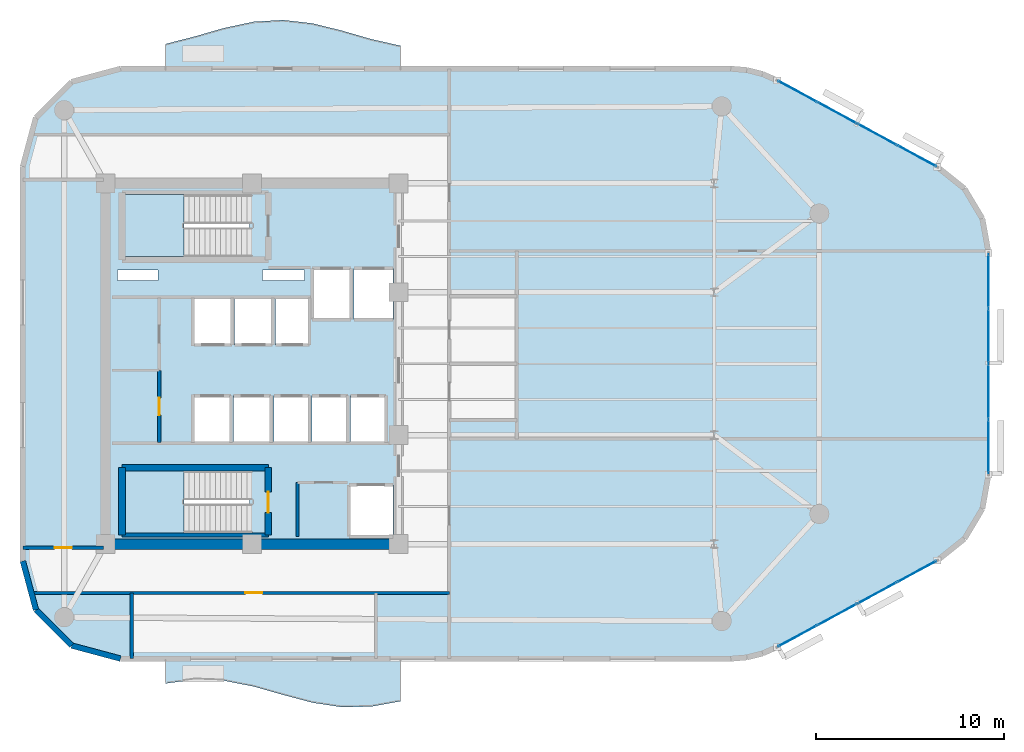
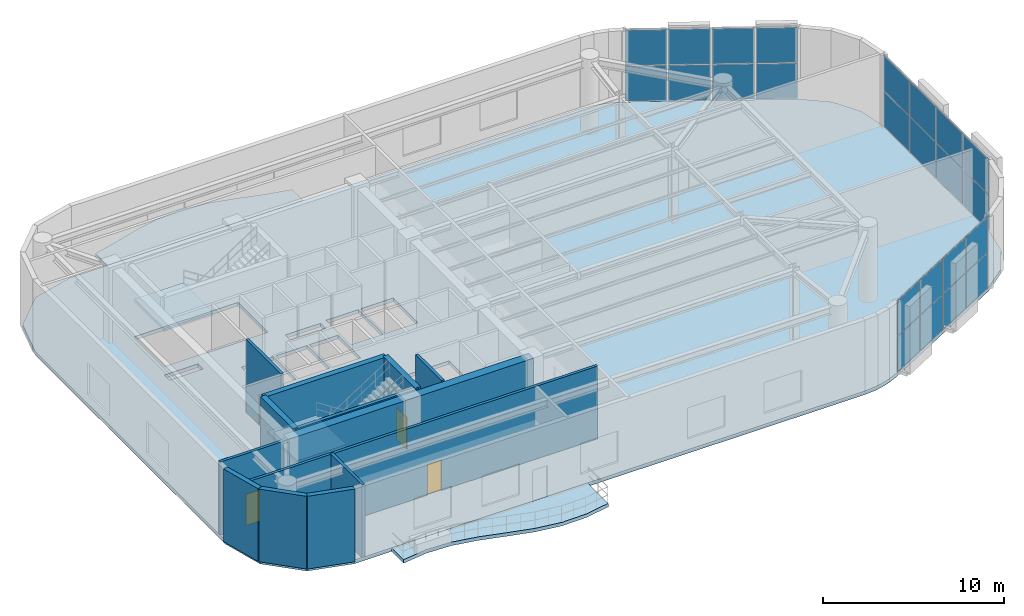
# One storey, part 6 of 11: 24 plates, 13 walls, 5 slabs, 4 doors, 4 openings, 5 elements without a shape of their own.
"""IFC4 building model written with IfcOpenShell, lengths in metres."""

from ifc_helpers import new_model, si_unit, direction, frame, frame_2d, origin, origin_2d, place, context, subcontext, project, spatial, polyline, rectangle, outline, extrude, material, layer, layer_set, type_object, element, fill, aggregate, save


model = new_model("IFC4")

# Units and contexts
model_context = context("Model", 3, precision=1e-05, world=origin(), true_north=direction((0.0, 1.0)))
body_context = subcontext(model_context, "Body", "Model", "MODEL_VIEW")
ifc_project = project(units=[si_unit("LENGTHUNIT", "METRE"), si_unit("AREAUNIT", "SQUARE_METRE"), si_unit("VOLUMEUNIT", "CUBIC_METRE"), si_unit("PLANEANGLEUNIT", "RADIAN"), si_unit("MASSUNIT", "GRAM", prefix="KILO")], contexts=[model_context])

# Site, building, storey
site_placement = place(None, origin())
site = spatial("IfcSite", under=ifc_project, at=site_placement, CompositionType="ELEMENT")
building_placement = place(site_placement, origin())
building = spatial("IfcBuilding", under=site, at=building_placement, Name="An Khanh Terracotta Commons", CompositionType="ELEMENT")
storey_placement = place(building_placement, frame((0.0, 0.0, 196.199951171875)))
storey = spatial("IfcBuildingStorey", under=building, at=storey_placement, Name="L51", CompositionType="ELEMENT", Elevation=196.199951171875)

# Curtain wall, plates
ifc_material_1 = material(Name="Anodised Aluminium 6063-T6", Category="aluminium")
ifc_layer_1 = layer(ifc_material_1, 0.239990234375, Name="Anodised Aluminium 6063-T6")
ifc_layer_set_1 = layer_set([ifc_layer_1], Name="Anodised Aluminium 6063-T6")
curtain_wall_type = type_object("IfcCurtainWallType", Name="CW-SYS-04", PredefinedType="USERDEFINED", material=ifc_layer_set_1)
curtain_wall_1_placement = place(storey_placement, origin())
curtain_wall_1 = element("IfcCurtainWall", 1, at=curtain_wall_1_placement, inside=storey, type_object=curtain_wall_type, Name="L51 CW-04 Unitised Curtain Wall CW-L51-08", ObjectType="UNITISED CURTAIN WALL", PredefinedType="USERDEFINED")
ifc_material_2 = material(Name="Triple-Silver Sky-Lobby Glazing", Category="glass")
ifc_layer_2 = layer(ifc_material_2, 0.0400390625, Name="Triple-Silver Sky-Lobby Glazing")
ifc_layer_set_2 = layer_set([ifc_layer_2], Name="Triple-Silver Sky-Lobby Glazing")
plate_type = type_object("IfcPlateType", Name="CWP-IGU-40", PredefinedType="CURTAIN_PANEL", material=ifc_layer_set_2)
plate_1_placement = place(storey_placement, frame((58.43896484375, 9.509521484375, 0.06005859375), z_axis=(0.0, 0.0, 1.0), x_axis=(0.879780095306, 0.47538088298, 0.0)))
plate_1 = element("IfcPlate", 2, at=plate_1_placement, type_object=plate_type, Name="CW-04 panel 1.1", PredefinedType="CURTAIN_PANEL", context=body_context, shape_type="SweptSolid", body=[
    extrude(rectangle(XDim=2.299560546875, YDim=0.0400390625, at=origin_2d()), origin(), (0.0, 0.0, 1.0), 2.360107421875),
])
plate_2_placement = place(storey_placement, frame((58.43896484375, 9.509521484375, 2.47998046875), z_axis=(0.0, 0.0, 1.0), x_axis=(0.879780095306, 0.47538088298, 0.0)))
plate_2 = element("IfcPlate", 3, at=plate_2_placement, type_object=plate_type, Name="CW-04 panel 1.2", PredefinedType="CURTAIN_PANEL", context=body_context, shape_type="SweptSolid", body=[
    extrude(rectangle(XDim=2.299560546875, YDim=0.0400390625, at=origin_2d()), origin(), (0.0, 0.0, 1.0), 2.360107421875),
])
plate_3_placement = place(storey_placement, frame((60.550048828125, 10.650390625, 0.06005859375), z_axis=(0.0, 0.0, 1.0), x_axis=(0.879780095306, 0.47538088298, 0.0)))
plate_3 = element("IfcPlate", 4, at=plate_3_placement, type_object=plate_type, Name="CW-04 panel 2.1", PredefinedType="CURTAIN_PANEL", context=body_context, shape_type="SweptSolid", body=[
    extrude(rectangle(XDim=2.339599609375, YDim=0.0400390625, at=origin_2d()), origin(), (0.0, 0.0, 1.0), 2.360107421875),
])
plate_4_placement = place(storey_placement, frame((60.550048828125, 10.650390625, 2.47998046875), z_axis=(0.0, 0.0, 1.0), x_axis=(0.879780095306, 0.47538088298, 0.0)))
plate_4 = element("IfcPlate", 5, at=plate_4_placement, type_object=plate_type, Name="CW-04 panel 2.2", PredefinedType="CURTAIN_PANEL", context=body_context, shape_type="SweptSolid", body=[
    extrude(rectangle(XDim=2.339599609375, YDim=0.0400390625, at=origin_2d()), origin(), (0.0, 0.0, 1.0), 2.360107421875),
])
plate_5_placement = place(storey_placement, frame((62.678955078125, 11.800537109375, 0.06005859375), z_axis=(0.0, 0.0, 1.0), x_axis=(0.879780095306, 0.47538088298, 0.0)))
plate_5 = element("IfcPlate", 6, at=plate_5_placement, type_object=plate_type, Name="CW-04 panel 3.1", PredefinedType="CURTAIN_PANEL", context=body_context, shape_type="SweptSolid", body=[
    extrude(rectangle(XDim=2.339599609375, YDim=0.0400390625, at=origin_2d()), origin(), (0.0, 0.0, 1.0), 2.360107421875),
])
plate_6_placement = place(storey_placement, frame((62.678955078125, 11.800537109375, 2.47998046875), z_axis=(0.0, 0.0, 1.0), x_axis=(0.879780095306, 0.47538088298, 0.0)))
plate_6 = element("IfcPlate", 7, at=plate_6_placement, type_object=plate_type, Name="CW-04 panel 3.2", PredefinedType="CURTAIN_PANEL", context=body_context, shape_type="SweptSolid", body=[
    extrude(rectangle(XDim=2.339599609375, YDim=0.0400390625, at=origin_2d()), origin(), (0.0, 0.0, 1.0), 2.360107421875),
])
plate_7_placement = place(storey_placement, frame((64.7900390625, 12.94140625, 0.06005859375), z_axis=(0.0, 0.0, 1.0), x_axis=(0.879780095306, 0.47538088298, 0.0)))
plate_7 = element("IfcPlate", 8, at=plate_7_placement, type_object=plate_type, Name="CW-04 panel 4.1", PredefinedType="CURTAIN_PANEL", context=body_context, shape_type="SweptSolid", body=[
    extrude(rectangle(XDim=2.299560546875, YDim=0.0400390625, at=origin_2d()), origin(), (0.0, 0.0, 1.0), 2.360107421875),
])
plate_8_placement = place(storey_placement, frame((64.7900390625, 12.94140625, 2.47998046875), z_axis=(0.0, 0.0, 1.0), x_axis=(0.879780095306, 0.47538088298, 0.0)))
plate_8 = element("IfcPlate", 9, at=plate_8_placement, type_object=plate_type, Name="CW-04 panel 4.2", PredefinedType="CURTAIN_PANEL", context=body_context, shape_type="SweptSolid", body=[
    extrude(rectangle(XDim=2.299560546875, YDim=0.0400390625, at=origin_2d()), origin(), (0.0, 0.0, 1.0), 2.360107421875),
])
aggregate(curtain_wall_1, [plate_1, plate_2, plate_3, plate_4, plate_5, plate_6, plate_7, plate_8])

curtain_wall_2_placement = place(storey_placement, origin())
curtain_wall_2 = element("IfcCurtainWall", 10, at=curtain_wall_2_placement, inside=storey, type_object=curtain_wall_type, Name="L51 CW-04 Unitised Curtain Wall CW-L51-12", ObjectType="UNITISED CURTAIN WALL", PredefinedType="USERDEFINED")
plate_9_placement = place(storey_placement, frame((68.60009765625, 19.595703125, 0.06005859375), z_axis=(0.0, 0.0, 1.0), x_axis=(0.0, 1.0, 0.0)))
plate_9 = element("IfcPlate", 11, at=plate_9_placement, type_object=plate_type, Name="CW-04 panel 1.1", PredefinedType="CURTAIN_PANEL", context=body_context, shape_type="SweptSolid", body=[
    extrude(rectangle(XDim=2.82958984375, YDim=0.0400390625, at=origin_2d()), origin(), (0.0, 0.0, 1.0), 2.360107421875),
])
plate_10_placement = place(storey_placement, frame((68.60009765625, 19.595703125, 2.47998046875), z_axis=(0.0, 0.0, 1.0), x_axis=(0.0, 1.0, 0.0)))
plate_10 = element("IfcPlate", 12, at=plate_10_placement, type_object=plate_type, Name="CW-04 panel 1.2", PredefinedType="CURTAIN_PANEL", context=body_context, shape_type="SweptSolid", body=[
    extrude(rectangle(XDim=2.82958984375, YDim=0.0400390625, at=origin_2d()), origin(), (0.0, 0.0, 1.0), 2.360107421875),
])
plate_11_placement = place(storey_placement, frame((68.60009765625, 22.525146484375, 0.06005859375), z_axis=(0.0, 0.0, 1.0), x_axis=(0.0, 1.0, 0.0)))
plate_11 = element("IfcPlate", 13, at=plate_11_placement, type_object=plate_type, Name="CW-04 panel 2.1", PredefinedType="CURTAIN_PANEL", context=body_context, shape_type="SweptSolid", body=[
    extrude(rectangle(XDim=2.869384765625, YDim=0.0400390625, at=origin_2d()), origin(), (0.0, 0.0, 1.0), 2.360107421875),
])
plate_12_placement = place(storey_placement, frame((68.60009765625, 22.525146484375, 2.47998046875), z_axis=(0.0, 0.0, 1.0), x_axis=(0.0, 1.0, 0.0)))
plate_12 = element("IfcPlate", 14, at=plate_12_placement, type_object=plate_type, Name="CW-04 panel 2.2", PredefinedType="CURTAIN_PANEL", context=body_context, shape_type="SweptSolid", body=[
    extrude(rectangle(XDim=2.869384765625, YDim=0.0400390625, at=origin_2d()), origin(), (0.0, 0.0, 1.0), 2.360107421875),
])
plate_13_placement = place(storey_placement, frame((68.60009765625, 25.474853515625, 0.06005859375), z_axis=(0.0, 0.0, 1.0), x_axis=(0.0, 1.0, 0.0)))
plate_13 = element("IfcPlate", 15, at=plate_13_placement, type_object=plate_type, Name="CW-04 panel 3.1", PredefinedType="CURTAIN_PANEL", context=body_context, shape_type="SweptSolid", body=[
    extrude(rectangle(XDim=2.869384765625, YDim=0.0400390625, at=origin_2d()), origin(), (0.0, 0.0, 1.0), 2.360107421875),
])
plate_14_placement = place(storey_placement, frame((68.60009765625, 25.474853515625, 2.47998046875), z_axis=(0.0, 0.0, 1.0), x_axis=(0.0, 1.0, 0.0)))
plate_14 = element("IfcPlate", 16, at=plate_14_placement, type_object=plate_type, Name="CW-04 panel 3.2", PredefinedType="CURTAIN_PANEL", context=body_context, shape_type="SweptSolid", body=[
    extrude(rectangle(XDim=2.869384765625, YDim=0.0400390625, at=origin_2d()), origin(), (0.0, 0.0, 1.0), 2.360107421875),
])
plate_15_placement = place(storey_placement, frame((68.60009765625, 28.404296875, 0.06005859375), z_axis=(0.0, 0.0, 1.0), x_axis=(0.0, 1.0, 0.0)))
plate_15 = element("IfcPlate", 17, at=plate_15_placement, type_object=plate_type, Name="CW-04 panel 4.1", PredefinedType="CURTAIN_PANEL", context=body_context, shape_type="SweptSolid", body=[
    extrude(rectangle(XDim=2.82958984375, YDim=0.0400390625, at=origin_2d()), origin(), (0.0, 0.0, 1.0), 2.360107421875),
])
plate_16_placement = place(storey_placement, frame((68.60009765625, 28.404296875, 2.47998046875), z_axis=(0.0, 0.0, 1.0), x_axis=(0.0, 1.0, 0.0)))
plate_16 = element("IfcPlate", 18, at=plate_16_placement, type_object=plate_type, Name="CW-04 panel 4.2", PredefinedType="CURTAIN_PANEL", context=body_context, shape_type="SweptSolid", body=[
    extrude(rectangle(XDim=2.82958984375, YDim=0.0400390625, at=origin_2d()), origin(), (0.0, 0.0, 1.0), 2.360107421875),
])
aggregate(curtain_wall_2, [plate_9, plate_10, plate_11, plate_12, plate_13, plate_14, plate_15, plate_16])

curtain_wall_3_placement = place(storey_placement, origin())
curtain_wall_3 = element("IfcCurtainWall", 19, at=curtain_wall_3_placement, inside=storey, type_object=curtain_wall_type, Name="L51 CW-04 Unitised Curtain Wall CW-L51-16", ObjectType="UNITISED CURTAIN WALL", PredefinedType="USERDEFINED")
plate_17_placement = place(storey_placement, frame((64.7900390625, 35.05859375, 0.06005859375), z_axis=(0.0, 0.0, 1.0), x_axis=(-0.879780095306, 0.47538088298, 0.0)))
plate_17 = element("IfcPlate", 20, at=plate_17_placement, type_object=plate_type, Name="CW-04 panel 1.1", PredefinedType="CURTAIN_PANEL", context=body_context, shape_type="SweptSolid", body=[
    extrude(rectangle(XDim=2.299560546875, YDim=0.0400390625, at=origin_2d()), origin(), (0.0, 0.0, 1.0), 2.360107421875),
])
plate_18_placement = place(storey_placement, frame((64.7900390625, 35.05859375, 2.47998046875), z_axis=(0.0, 0.0, 1.0), x_axis=(-0.879780095306, 0.47538088298, 0.0)))
plate_18 = element("IfcPlate", 21, at=plate_18_placement, type_object=plate_type, Name="CW-04 panel 1.2", PredefinedType="CURTAIN_PANEL", context=body_context, shape_type="SweptSolid", body=[
    extrude(rectangle(XDim=2.299560546875, YDim=0.0400390625, at=origin_2d()), origin(), (0.0, 0.0, 1.0), 2.360107421875),
])
plate_19_placement = place(storey_placement, frame((62.678955078125, 36.199462890625, 0.06005859375), z_axis=(0.0, 0.0, 1.0), x_axis=(-0.879780095306, 0.47538088298, 0.0)))
plate_19 = element("IfcPlate", 22, at=plate_19_placement, type_object=plate_type, Name="CW-04 panel 2.1", PredefinedType="CURTAIN_PANEL", context=body_context, shape_type="SweptSolid", body=[
    extrude(rectangle(XDim=2.339599609375, YDim=0.0400390625, at=origin_2d()), origin(), (0.0, 0.0, 1.0), 2.360107421875),
])
plate_20_placement = place(storey_placement, frame((62.678955078125, 36.199462890625, 2.47998046875), z_axis=(0.0, 0.0, 1.0), x_axis=(-0.879780095306, 0.47538088298, 0.0)))
plate_20 = element("IfcPlate", 23, at=plate_20_placement, type_object=plate_type, Name="CW-04 panel 2.2", PredefinedType="CURTAIN_PANEL", context=body_context, shape_type="SweptSolid", body=[
    extrude(rectangle(XDim=2.339599609375, YDim=0.0400390625, at=origin_2d()), origin(), (0.0, 0.0, 1.0), 2.360107421875),
])
plate_21_placement = place(storey_placement, frame((60.550048828125, 37.349609375, 0.06005859375), z_axis=(0.0, 0.0, 1.0), x_axis=(-0.879780095306, 0.47538088298, 0.0)))
plate_21 = element("IfcPlate", 24, at=plate_21_placement, type_object=plate_type, Name="CW-04 panel 3.1", PredefinedType="CURTAIN_PANEL", context=body_context, shape_type="SweptSolid", body=[
    extrude(rectangle(XDim=2.339599609375, YDim=0.0400390625, at=origin_2d()), origin(), (0.0, 0.0, 1.0), 2.360107421875),
])
plate_22_placement = place(storey_placement, frame((60.550048828125, 37.349609375, 2.47998046875), z_axis=(0.0, 0.0, 1.0), x_axis=(-0.879780095306, 0.47538088298, 0.0)))
plate_22 = element("IfcPlate", 25, at=plate_22_placement, type_object=plate_type, Name="CW-04 panel 3.2", PredefinedType="CURTAIN_PANEL", context=body_context, shape_type="SweptSolid", body=[
    extrude(rectangle(XDim=2.339599609375, YDim=0.0400390625, at=origin_2d()), origin(), (0.0, 0.0, 1.0), 2.360107421875),
])
plate_23_placement = place(storey_placement, frame((58.43896484375, 38.490478515625, 0.06005859375), z_axis=(0.0, 0.0, 1.0), x_axis=(-0.879780095306, 0.47538088298, 0.0)))
plate_23 = element("IfcPlate", 26, at=plate_23_placement, type_object=plate_type, Name="CW-04 panel 4.1", PredefinedType="CURTAIN_PANEL", context=body_context, shape_type="SweptSolid", body=[
    extrude(rectangle(XDim=2.299560546875, YDim=0.0400390625, at=origin_2d()), origin(), (0.0, 0.0, 1.0), 2.360107421875),
])
plate_24_placement = place(storey_placement, frame((58.43896484375, 38.490478515625, 2.47998046875), z_axis=(0.0, 0.0, 1.0), x_axis=(-0.879780095306, 0.47538088298, 0.0)))
plate_24 = element("IfcPlate", 27, at=plate_24_placement, type_object=plate_type, Name="CW-04 panel 4.2", PredefinedType="CURTAIN_PANEL", context=body_context, shape_type="SweptSolid", body=[
    extrude(rectangle(XDim=2.299560546875, YDim=0.0400390625, at=origin_2d()), origin(), (0.0, 0.0, 1.0), 2.360107421875),
])
aggregate(curtain_wall_3, [plate_17, plate_18, plate_19, plate_20, plate_21, plate_22, plate_23, plate_24])

# Slabs
ifc_material_3 = material(Name="Concrete C40/50", Category="concrete")
ifc_layer_3 = layer(ifc_material_3, 0.239990234375, Name="Concrete C40/50")
ifc_layer_set_3 = layer_set([ifc_layer_3], Name="Concrete C40/50")
slab_type_1 = type_object("IfcSlabType", Name="SLAB-BALC-240", PredefinedType="FLOOR", material=ifc_layer_set_3)
slab_1_placement = place(storey_placement, frame((0.0, 0.0, -0.239990234375)))
element("IfcSlab", 28, at=slab_1_placement, inside=storey, type_object=slab_type_1, Name="L51 S Sinusoidal Wave Balcony Slab", PredefinedType="FLOOR", context=body_context, shape_type="SweptSolid", body=[
    extrude(outline(polyline([(24.800048828125, 8.300048828125), (24.800048828125, 6.97998046875), (26.363037109375, 7.18896484375), (27.925048828125, 7.1279296875), (29.488037109375, 6.820068359375), (31.050048828125, 6.3759765625), (32.612060546875, 5.9599609375), (34.175048828125, 5.721923828125), (35.737060546875, 5.75), (37.300048828125, 6.032958984375), (37.300048828125, 8.300048828125), (24.800048828125, 8.300048828125)])), origin(), (0.0, 0.0, 1.0), 0.239990234375),
])
slab_2_placement = place(storey_placement, frame((0.0, 0.0, -0.239990234375)))
element("IfcSlab", 29, at=slab_2_placement, inside=storey, type_object=slab_type_1, Name="L51 N Sinusoidal Wave Balcony Slab", PredefinedType="FLOOR", context=body_context, shape_type="SweptSolid", body=[
    extrude(outline(polyline([(37.300048828125, 39.699951171875), (37.300048828125, 40.926025390625), (35.737060546875, 41.280029296875), (34.175048828125, 41.73193359375), (32.612060546875, 42.117919921875), (31.050048828125, 42.2958984375), (29.488037109375, 42.202880859375), (27.925048828125, 41.87109375), (26.363037109375, 41.422119140625), (24.800048828125, 41.02001953125), (24.800048828125, 39.699951171875), (37.300048828125, 39.699951171875)])), origin(), (0.0, 0.0, 1.0), 0.239990234375),
])

# Stair, slab
ifc_material_4 = material(Name="Precast concrete C40/50", Category="concrete")
stair_type = type_object("IfcStairType", Name="STAIR-CORE-1550", PredefinedType="HALF_TURN_STAIR", material=ifc_material_4)
stair_1_placement = place(storey_placement, origin())
stair_1 = element("IfcStair", 30, at=stair_1_placement, inside=storey, type_object=stair_type, Name="L51 Core Smokeproof Exit Stair ST-01", PredefinedType="HALF_TURN_STAIR")
ifc_layer_4 = layer(ifc_material_3, 0.18994140625, Name="Concrete C40/50")
ifc_layer_set_4 = layer_set([ifc_layer_4], Name="Concrete C40/50")
slab_type_2 = type_object("IfcSlabType", Name="SLAB-LANDING-190", PredefinedType="LANDING", material=ifc_layer_set_4)
slab_3_placement = place(storey_placement, frame((0.0, 0.0, 2.35009765625)))
slab_3 = element("IfcSlab", 31, at=slab_3_placement, type_object=slab_type_2, Name="ST-01 landing 1", PredefinedType="LANDING", context=body_context, shape_type="SweptSolid", body=[
    extrude(outline(polyline([(25.77001953125, 33.0), (22.64990234375, 33.0), (22.64990234375, 29.699951171875), (25.77001953125, 29.699951171875), (25.77001953125, 33.0)])), origin(), (0.0, 0.0, 1.0), 0.199951171875),
])
aggregate(stair_1, [slab_3])

stair_2_placement = place(storey_placement, origin())
stair_2 = element("IfcStair", 32, at=stair_2_placement, inside=storey, type_object=stair_type, Name="L51 Core Smokeproof Exit Stair ST-02", PredefinedType="HALF_TURN_STAIR")
slab_4_placement = place(storey_placement, frame((0.0, 0.0, 2.35009765625)))
slab_4 = element("IfcSlab", 33, at=slab_4_placement, type_object=slab_type_2, Name="ST-02 landing 1", PredefinedType="LANDING", context=body_context, shape_type="SweptSolid", body=[
    extrude(outline(polyline([(25.77001953125, 18.300048828125), (22.64990234375, 18.300048828125), (22.64990234375, 15.0), (25.77001953125, 15.0), (25.77001953125, 18.300048828125)])), origin(), (0.0, 0.0, 1.0), 0.199951171875),
])
aggregate(stair_2, [slab_4])

# Slab
ifc_layer_5 = layer(ifc_material_3, 0.239990234375, Name="Concrete C40/50")
ifc_layer_set_5 = layer_set([ifc_layer_5], Name="Concrete C40/50")
slab_type_3 = type_object("IfcSlabType", Name="SLAB-SKY-240", PredefinedType="FLOOR", material=ifc_layer_set_5)
slab_5_placement = place(storey_placement, frame((0.0, 0.0, -0.239990234375)))
element("IfcSlab", 34, at=slab_5_placement, inside=storey, type_object=slab_type_3, Name="L51 Structural Floor Slab", PredefinedType="FLOOR", context=body_context, shape_type="SweptSolid", body=[
    extrude(outline(polyline([(17.199951171875, 13.5), (17.89697265625, 10.89990234375), (19.800048828125, 8.9970703125), (22.39990234375, 8.300048828125), (54.885009765625, 8.300048828125), (55.739990234375, 8.37109375), (56.571044921875, 8.5810546875), (57.35693359375, 8.925048828125), (65.8720703125, 13.52587890625), (67.320068359375, 14.68408203125), (68.26904296875, 16.27587890625), (68.60009765625, 18.10107421875), (68.60009765625, 29.89892578125), (68.26904296875, 31.72412109375), (67.320068359375, 33.31591796875), (65.8720703125, 34.47412109375), (57.35693359375, 39.074951171875), (56.571044921875, 39.4189453125), (55.739990234375, 39.62890625), (54.885009765625, 39.699951171875), (22.39990234375, 39.699951171875), (19.800048828125, 39.0029296875), (17.89697265625, 37.10009765625), (17.199951171875, 34.5), (17.199951171875, 13.5)]), holes=[polyline([(22.64990234375, 29.699951171875), (29.27001953125, 29.699951171875), (29.27001953125, 33.0), (22.64990234375, 33.0), (22.64990234375, 29.699951171875)]), polyline([(22.64990234375, 15.0), (29.27001953125, 15.0), (29.27001953125, 18.300048828125), (22.64990234375, 18.300048828125), (22.64990234375, 15.0)]), polyline([(32.60009765625, 26.35009765625), (34.679931640625, 26.35009765625), (34.679931640625, 29.080078125), (32.60009765625, 29.080078125), (32.60009765625, 26.35009765625)]), polyline([(34.820068359375, 26.35009765625), (36.89990234375, 26.35009765625), (36.89990234375, 29.080078125), (34.820068359375, 29.080078125), (34.820068359375, 26.35009765625)]), polyline([(34.550048828125, 14.800048828125), (36.89990234375, 14.800048828125), (36.89990234375, 17.550048828125), (34.550048828125, 17.550048828125), (34.550048828125, 14.800048828125)]), polyline([(26.320068359375, 25.0), (28.340087890625, 25.0), (28.340087890625, 27.5), (26.320068359375, 27.5), (26.320068359375, 25.0)]), polyline([(28.47998046875, 25.0), (30.5, 25.0), (30.5, 27.5), (28.47998046875, 27.5), (28.47998046875, 25.0)]), polyline([(26.280029296875, 19.800048828125), (28.280029296875, 19.800048828125), (28.280029296875, 22.300048828125), (26.280029296875, 22.300048828125), (26.280029296875, 19.800048828125)]), polyline([(28.419921875, 19.800048828125), (30.419921875, 19.800048828125), (30.419921875, 22.300048828125), (28.419921875, 22.300048828125), (28.419921875, 19.800048828125)]), polyline([(30.639892578125, 25.0), (32.4599609375, 25.0), (32.4599609375, 27.5), (30.639892578125, 27.5), (30.639892578125, 25.0)]), polyline([(30.56005859375, 19.800048828125), (32.4599609375, 19.800048828125), (32.4599609375, 22.300048828125), (30.56005859375, 22.300048828125), (30.56005859375, 19.800048828125)]), polyline([(32.60009765625, 19.800048828125), (34.5, 19.800048828125), (34.5, 22.300048828125), (32.60009765625, 22.300048828125), (32.60009765625, 19.800048828125)]), polyline([(34.639892578125, 19.800048828125), (36.5400390625, 19.800048828125), (36.5400390625, 22.300048828125), (34.639892578125, 22.300048828125), (34.639892578125, 19.800048828125)]), polyline([(22.25, 28.419921875), (24.39990234375, 28.419921875), (24.39990234375, 28.97998046875), (22.25, 28.97998046875), (22.25, 28.419921875)]), polyline([(29.949951171875, 28.419921875), (32.199951171875, 28.419921875), (32.199951171875, 28.97998046875), (29.949951171875, 28.97998046875), (29.949951171875, 28.419921875)])]), origin(), (0.0, 0.0, 1.0), 0.239990234375),
])

# Walls
ifc_material_5 = material(Name="Concrete C50/60", Category="concrete")
ifc_layer_6 = layer(ifc_material_5, 0.550048828125, Name="Concrete C50/60")
ifc_layer_set_6 = layer_set([ifc_layer_6], Name="Concrete C50/60")
wall_type_1 = type_object("IfcWallType", Name="WALL-CORE-550", PredefinedType="SHEAR", material=ifc_layer_set_6)
wall_1_placement = place(storey_placement, frame((37.199951171875, 14.39990234375, 0.0), z_axis=(0.0, 0.0, 1.0), x_axis=(-1.0, 0.0, 0.0)))
element("IfcWall", 35, at=wall_1_placement, inside=storey, type_object=wall_type_1, Name="L51 Core Wall CWALL-L51-S", PredefinedType="SHEAR", context=body_context, shape_type="SweptSolid", body=[
    extrude(rectangle(XDim=15.599853515625, YDim=0.550048828125, at=frame_2d((7.7998046875, 0.0))), origin(), (0.0, 0.0, 1.0), 4.900146484375),
])
ifc_material_6 = material(Name="Fire-Rated Gypsum Board on Steel Stud", Category="steel")
ifc_layer_7 = layer(ifc_material_6, 0.179931640625, Name="Fire-Rated Gypsum Board on Steel Stud")
ifc_layer_set_7 = layer_set([ifc_layer_7], Name="Fire-Rated Gypsum Board on Steel Stud")
wall_type_2 = type_object("IfcWallType", Name="WALL-CORR-180", PredefinedType="PARTITIONING", material=ifc_layer_set_7)
wall_2_placement = place(storey_placement, frame((31.820068359375, 14.800048828125, 0.0), z_axis=(0.0, 0.0, 1.0), x_axis=(0.0, 1.0, 0.0)))
element("IfcWall", 36, at=wall_2_placement, inside=storey, type_object=wall_type_2, Name="L51 Core Wall SSVCW-L51-W", PredefinedType="PARTITIONING", context=body_context, shape_type="SweptSolid", body=[
    extrude(rectangle(XDim=2.8798828125, YDim=0.179931640625, at=frame_2d((1.43994140625, 0.0))), origin(), (0.0, 0.0, 1.0), 4.900146484375),
])

# Wall, opening, door
wall_3_placement = place(storey_placement, frame((24.4599609375, 19.800048828125, 0.0), z_axis=(0.0, 0.0, 1.0), x_axis=(0.0, 1.0, 0.0)))
wall_3 = element("IfcWall", 37, at=wall_3_placement, inside=storey, type_object=wall_type_2, Name="L51 Core Wall RECW-L51-E2", PredefinedType="PARTITIONING", context=body_context, shape_type="SweptSolid", body=[
    extrude(rectangle(XDim=3.849853515625, YDim=0.179931640625, at=frame_2d((1.9248046875, 0.0))), origin(), (0.0, 0.0, 1.0), 4.900146484375),
])
opening_1_placement = place(wall_3_placement, frame((1.465087890625, 0.0, 0.0)))
opening_1 = element("IfcOpeningElement", 38, at=opening_1_placement, cuts=wall_3, Name="Opening D-RM", PredefinedType="OPENING", context=body_context, shape_type="SweptSolid", body=[
    extrude(rectangle(XDim=0.919921875, YDim=2.10009765625, at=frame_2d((0.4599609375, 1.050048828125))), frame((0.0, 0.099853515625, 0.0), z_axis=(0.0, -1.0, 0.0), x_axis=(1.0, 0.0, 0.0)), (0.0, 0.0, 1.0), 0.199951171875),
])
ifc_material_7 = material(Name="Engineered Hardwood Timber Leaf", Category="wood")
door_type_1 = type_object("IfcDoorType", Name="DOOR-INT-920", OperationType="NOTDEFINED", PredefinedType="DOOR", material=ifc_material_7)
door_1_placement = place(opening_1_placement, origin())
door_1 = element("IfcDoor", 39, at=door_1_placement, inside=storey, type_object=door_type_1, Name="L51 Floor Pantry and Ice Room Door", OperationType="SINGLE_SWING_RIGHT", OverallHeight=2.10009765625, OverallWidth=0.919921875, PredefinedType="DOOR", context=body_context, shape_type="SweptSolid", body=[
    extrude(rectangle(XDim=0.919921875, YDim=2.10009765625, at=frame_2d((0.4599609375, 1.050048828125))), frame((0.0, 0.02490234375, 0.0), z_axis=(0.0, -1.0, 0.0), x_axis=(1.0, 0.0, 0.0)), (0.0, 0.0, 1.0), 0.050048828125),
])
fill(opening_1, door_1)

wall_4_placement = place(storey_placement, frame((17.656005859375, 11.800048828125, 0.0), z_axis=(0.0, 0.0, 1.0), x_axis=(1.0, 0.0, 0.0)))
wall_4 = element("IfcWall", 40, at=wall_4_placement, inside=storey, type_object=wall_type_2, Name="L51 Interior Partition IW-L51-E001", PredefinedType="PARTITIONING", context=body_context, shape_type="SweptSolid", body=[
    extrude(rectangle(XDim=22.243896484375, YDim=0.179931640625, at=frame_2d((11.1220703125, 0.0))), origin(), (0.0, 0.0, 1.0), 4.900146484375),
])
opening_2_placement = place(wall_4_placement, frame((11.39404296875, 0.0, 0.0)))
opening_2 = element("IfcOpeningElement", 41, at=opening_2_placement, cuts=wall_4, Name="Opening D-SV", PredefinedType="OPENING", context=body_context, shape_type="SweptSolid", body=[
    extrude(rectangle(XDim=0.89990234375, YDim=2.050048828125, at=frame_2d((0.449951171875, 1.02490234375))), frame((0.0, 0.099853515625, 0.0), z_axis=(0.0, -1.0, 0.0), x_axis=(1.0, 0.0, 0.0)), (0.0, 0.0, 1.0), 0.199951171875),
])
ifc_material_8 = material(Name="Fire-Rated Powder-Coated Steel Door", Category="steel")
door_type_2 = type_object("IfcDoorType", Name="DOOR-SERV-900", OperationType="NOTDEFINED", PredefinedType="DOOR", material=ifc_material_8)
door_2_placement = place(opening_2_placement, origin())
door_2 = element("IfcDoor", 42, at=door_2_placement, inside=storey, type_object=door_type_2, Name="L51 HKP Sky Lobby Pantry Store Door", OperationType="SINGLE_SWING_LEFT", OverallHeight=2.050048828125, OverallWidth=0.89990234375, PredefinedType="DOOR", context=body_context, shape_type="SweptSolid", body=[
    extrude(rectangle(XDim=0.89990234375, YDim=2.050048828125, at=frame_2d((0.449951171875, 1.02490234375))), frame((0.0, 0.02490234375, 0.0), z_axis=(0.0, -1.0, 0.0), x_axis=(1.0, 0.0, 0.0)), (0.0, 0.0, 1.0), 0.050048828125),
])
fill(opening_2, door_2)

wall_5_placement = place(storey_placement, frame((17.199951171875, 14.199951171875, 0.0), z_axis=(0.0, 0.0, 1.0), x_axis=(1.0, 0.0, 0.0)))
wall_5 = element("IfcWall", 43, at=wall_5_placement, inside=storey, type_object=wall_type_2, Name="L51 Interior Partition IW-L51-E002", PredefinedType="PARTITIONING", context=body_context, shape_type="SweptSolid", body=[
    extrude(rectangle(XDim=4.300048828125, YDim=0.179931640625, at=frame_2d((2.14990234375, 0.0))), origin(), (0.0, 0.0, 1.0), 4.900146484375),
])
opening_3_placement = place(wall_5_placement, frame((1.68994140625, 0.0, 0.0)))
opening_3 = element("IfcOpeningElement", 44, at=opening_3_placement, cuts=wall_5, Name="Opening D-RM", PredefinedType="OPENING", context=body_context, shape_type="SweptSolid", body=[
    extrude(rectangle(XDim=0.919921875, YDim=2.10009765625, at=frame_2d((0.4599609375, 1.050048828125))), frame((0.0, 0.099853515625, 0.0), z_axis=(0.0, -1.0, 0.0), x_axis=(1.0, 0.0, 0.0)), (0.0, 0.0, 1.0), 0.199951171875),
])
door_3_placement = place(opening_3_placement, origin())
door_3 = element("IfcDoor", 45, at=door_3_placement, inside=storey, type_object=door_type_1, Name="L51 SWST Digital Screening Theatre Door", OperationType="SINGLE_SWING_RIGHT", OverallHeight=2.10009765625, OverallWidth=0.919921875, PredefinedType="DOOR", context=body_context, shape_type="SweptSolid", body=[
    extrude(rectangle(XDim=0.919921875, YDim=2.10009765625, at=frame_2d((0.4599609375, 1.050048828125))), frame((0.0, 0.02490234375, 0.0), z_axis=(0.0, -1.0, 0.0), x_axis=(1.0, 0.0, 0.0)), (0.0, 0.0, 1.0), 0.050048828125),
])
fill(opening_3, door_3)

# Walls
wall_6_placement = place(storey_placement, frame((23.0, 8.300048828125, 0.0), z_axis=(0.0, 0.0, 1.0), x_axis=(0.0, 1.0, 0.0)))
element("IfcWall", 46, at=wall_6_placement, inside=storey, type_object=wall_type_2, Name="L51 Interior Partition IW-L51-E010", PredefinedType="PARTITIONING", context=body_context, shape_type="SweptSolid", body=[
    extrude(rectangle(XDim=3.5, YDim=0.179931640625, at=frame_2d((1.75, 0.0))), origin(), (0.0, 0.0, 1.0), 4.900146484375),
])
ifc_layer_8 = layer(ifc_material_4, 0.300048828125, Name="Precast concrete C40/50")
ifc_layer_set_8 = layer_set([ifc_layer_8], Name="Precast concrete C40/50")
wall_type_3 = type_object("IfcWallType", Name="WALL-EXT-300", PredefinedType="SOLIDWALL", material=ifc_layer_set_8)
wall_7_placement = place(storey_placement, frame((17.199951171875, 13.5, 0.0), z_axis=(0.0, 0.0, 1.0), x_axis=(0.258932525951, -0.965895412042, 0.0)))
element("IfcWall", 47, at=wall_7_placement, inside=storey, type_object=wall_type_3, Name="L51 Insulated Terracotta Exterior Wall 1", PredefinedType="SOLIDWALL", context=body_context, shape_type="SweptSolid", body=[
    extrude(rectangle(XDim=2.69189453125, YDim=0.300048828125, at=frame_2d((1.345947265625, 0.0))), origin(), (0.0, 0.0, 1.0), 4.900146484375),
])
wall_8_placement = place(storey_placement, frame((17.89697265625, 10.89990234375, 0.0), z_axis=(0.0, 0.0, 1.0), x_axis=(0.707152139074, -0.70706142039, 0.0)))
element("IfcWall", 48, at=wall_8_placement, inside=storey, type_object=wall_type_3, Name="L51 Insulated Terracotta Exterior Wall 2", PredefinedType="SOLIDWALL", context=body_context, shape_type="SweptSolid", body=[
    extrude(rectangle(XDim=2.691162109375, YDim=0.300048828125, at=frame_2d((1.345703125, 0.0))), origin(), (0.0, 0.0, 1.0), 4.900146484375),
])
wall_9_placement = place(storey_placement, frame((19.800048828125, 8.9970703125, 0.0), z_axis=(0.0, 0.0, 1.0), x_axis=(0.965889330541, -0.258955210695, 0.0)))
element("IfcWall", 49, at=wall_9_placement, inside=storey, type_object=wall_type_3, Name="L51 Insulated Terracotta Exterior Wall 3", PredefinedType="SOLIDWALL", context=body_context, shape_type="SweptSolid", body=[
    extrude(rectangle(XDim=2.691650390625, YDim=0.300048828125, at=frame_2d((1.345703125, 0.0))), origin(), (0.0, 0.0, 1.0), 4.900146484375),
])
ifc_material_9 = material(Name="Acoustic Double-Stud Gypsum and Mineral Wool")
ifc_layer_9 = layer(ifc_material_9, 0.219970703125, Name="Acoustic Double-Stud Gypsum and Mineral Wool")
ifc_layer_set_9 = layer_set([ifc_layer_9], Name="Acoustic Double-Stud Gypsum and Mineral Wool")
wall_type_4 = type_object("IfcWallType", Name="WALL-PARTY-220", PredefinedType="PARTITIONING", material=ifc_layer_set_9)
wall_10_placement = place(storey_placement, frame((22.47998046875, 14.889892578125, 0.0), z_axis=(0.0, 0.0, 1.0), x_axis=(1.0, 0.0, 0.0)))
element("IfcWall", 50, at=wall_10_placement, inside=storey, type_object=wall_type_4, Name="L51 Core Wall STW-L51-S-S", PredefinedType="PARTITIONING", context=body_context, shape_type="SweptSolid", body=[
    extrude(rectangle(XDim=7.7900390625, YDim=0.219970703125, at=frame_2d((3.89501953125, 0.0))), origin(), (0.0, 0.0, 1.0), 4.900146484375),
])
ifc_layer_10 = layer(ifc_material_5, 0.35009765625, Name="Concrete C50/60")
ifc_layer_set_10 = layer_set([ifc_layer_10], Name="Concrete C50/60")
wall_type_5 = type_object("IfcWallType", Name="WALL-SHAFT-350", PredefinedType="SOLIDWALL", material=ifc_layer_set_10)
wall_11_placement = place(storey_placement, frame((22.47998046875, 18.469970703125, 0.0), z_axis=(0.0, 0.0, 1.0), x_axis=(1.0, 0.0, 0.0)))
element("IfcWall", 51, at=wall_11_placement, inside=storey, type_object=wall_type_5, Name="L51 Core Wall STW-L51-S-N", PredefinedType="SOLIDWALL", context=body_context, shape_type="SweptSolid", body=[
    extrude(rectangle(XDim=7.7900390625, YDim=0.35009765625, at=frame_2d((3.89501953125, 0.0))), origin(), (0.0, 0.0, 1.0), 4.900146484375),
])
wall_12_placement = place(storey_placement, frame((22.47998046875, 14.889892578125, 0.0), z_axis=(0.0, 0.0, 1.0), x_axis=(0.0, 1.0, 0.0)))
element("IfcWall", 52, at=wall_12_placement, inside=storey, type_object=wall_type_5, Name="L51 Core Wall STW-L51-S-W", PredefinedType="SOLIDWALL", context=body_context, shape_type="SweptSolid", body=[
    extrude(rectangle(XDim=3.580078125, YDim=0.35009765625, at=frame_2d((1.7900390625, 0.0))), origin(), (0.0, 0.0, 1.0), 4.900146484375),
])

# Wall, opening, door
wall_13_placement = place(storey_placement, frame((30.27001953125, 14.889892578125, 0.0), z_axis=(0.0, 0.0, 1.0), x_axis=(0.0, 1.0, 0.0)))
wall_13 = element("IfcWall", 53, at=wall_13_placement, inside=storey, type_object=wall_type_5, Name="L51 Core Wall STW-L51-S-E", PredefinedType="SOLIDWALL", context=body_context, shape_type="SweptSolid", body=[
    extrude(rectangle(XDim=3.580078125, YDim=0.35009765625, at=frame_2d((1.7900390625, 0.0))), origin(), (0.0, 0.0, 1.0), 4.900146484375),
])
opening_4_placement = place(wall_13_placement, frame((1.18994140625, 0.0, 0.0)))
opening_4 = element("IfcOpeningElement", 54, at=opening_4_placement, cuts=wall_13, Name="Opening D-ST", PredefinedType="OPENING", context=body_context, shape_type="SweptSolid", body=[
    extrude(rectangle(XDim=1.10009765625, YDim=2.14990234375, at=frame_2d((0.550048828125, 1.074951171875))), frame((0.0, 0.18505859375, 0.0), z_axis=(0.0, -1.0, 0.0), x_axis=(1.0, 0.0, 0.0)), (0.0, 0.0, 1.0), 0.3701171875),
])
ifc_material_10 = material(Name="Fire-Rated Steel Leaf and Frame", Category="steel")
door_type_3 = type_object("IfcDoorType", Name="DOOR-STAIR-1100", OperationType="NOTDEFINED", PredefinedType="DOOR", material=ifc_material_10)
door_4_placement = place(opening_4_placement, origin())
door_4 = element("IfcDoor", 55, at=door_4_placement, inside=storey, type_object=door_type_3, Name="L51 Stair ST-02 Fire Door", OperationType="SINGLE_SWING_LEFT", OverallHeight=2.14990234375, OverallWidth=1.10009765625, PredefinedType="DOOR", context=body_context, shape_type="SweptSolid", body=[
    extrude(rectangle(XDim=1.10009765625, YDim=2.14990234375, at=frame_2d((0.550048828125, 1.074951171875))), frame((0.0, 0.02490234375, 0.0), z_axis=(0.0, -1.0, 0.0), x_axis=(1.0, 0.0, 0.0)), (0.0, 0.0, 1.0), 0.050048828125),
])
fill(opening_4, door_4)

save(model, "model.ifc")
